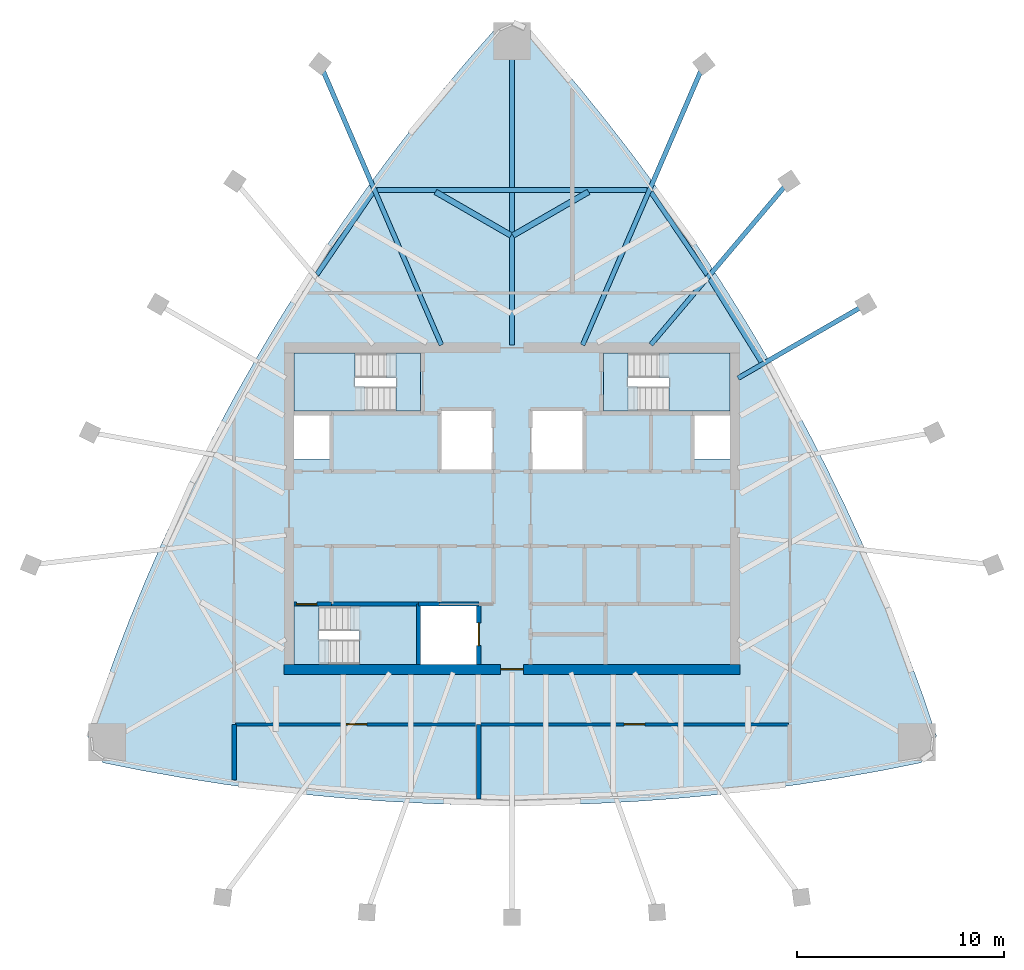
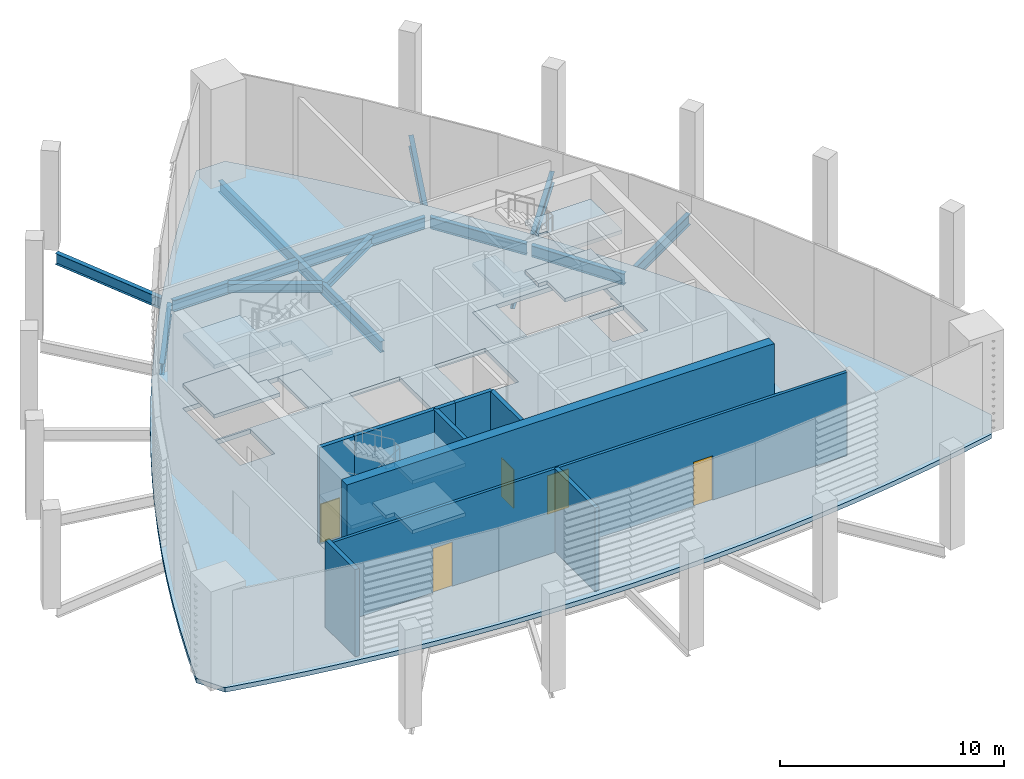
# One storey, part 2 of 8: 13 slabs, 11 beams, 10 walls, 5 doors, 5 openings, 3 elements without a shape of their own.
"""IFC4 building model written with IfcOpenShell, lengths in metres."""

from ifc_helpers import new_model, si_unit, direction, frame, frame_2d, origin, origin_2d, place, context, subcontext, project, spatial, polyline, rectangle, i_section, outline, extrude, clip, halfspace, material, layer, layer_set, material_profile, profile_set, type_object, element, fill, aggregate, save


model = new_model("IFC4")

# Units and contexts
model_context = context("Model", 3, precision=1e-05, world=origin(), true_north=direction((0.0, 1.0)))
body_context = subcontext(model_context, "Body", "Model", "MODEL_VIEW")
ifc_project = project(units=[si_unit("LENGTHUNIT", "METRE"), si_unit("AREAUNIT", "SQUARE_METRE"), si_unit("VOLUMEUNIT", "CUBIC_METRE"), si_unit("PLANEANGLEUNIT", "RADIAN"), si_unit("MASSUNIT", "GRAM", prefix="KILO")], contexts=[model_context])

# Site, building, storey
site_placement = place(None, origin())
site = spatial("IfcSite", under=ifc_project, at=site_placement, CompositionType="ELEMENT")
building_placement = place(site_placement, origin())
building = spatial("IfcBuilding", under=site, at=building_placement, Name="Sierra Prisma Convention Tower", CompositionType="ELEMENT")
storey_placement = place(building_placement, frame((0.0, 0.0, 344.800048828125)))
storey = spatial("IfcBuildingStorey", under=building, at=storey_placement, Name="L77", CompositionType="ELEMENT", Elevation=344.800048828125)

# Beams
ifc_material_1 = material(Name="Steel ASTM A992 Gr 50", Category="steel")
ifc_material_profile_1 = material_profile(ifc_material_1, i_section(OverallWidth=0.280029296875, OverallDepth=0.462890625, WebThickness=0.0107421875, FlangeThickness=0.017333984375, at=origin_2d()), Name="W460x113")
ifc_profile_set_1 = profile_set([ifc_material_profile_1], Name="Steel ASTM A992 Gr 50")
beam_type_1 = type_object("IfcBeamType", Name="Plant floor joist W460x113", PredefinedType="JOIST", material=ifc_profile_set_1)
for number, where, z_axis, x_axis, name in (
    (1, (3.689208984375, 15.27392578125, -0.4814453125), (-0.866034836963, -0.4999836609, 0.0), (0.4999836609, -0.866034836963, 0.0), "Floor joist L77 NE10"),
    (2, (-3.689208984375, 15.27392578125, -0.4814453125), (0.866034836963, -0.4999836609, 0.0), (0.4999836609, 0.866034836963, 0.0), "Floor joist L77 NW03"),
):
    element("IfcBeam", number, at=place(storey_placement, frame(where, z_axis=z_axis, x_axis=x_axis)), inside=storey, type_object=beam_type_1, Name=name, PredefinedType="JOIST", context=body_context, shape_type="SweptSolid", body=[
        extrude(i_section(OverallWidth=0.280029296875, OverallDepth=0.462890625, WebThickness=0.0107421875, FlangeThickness=0.017333984375, at=origin_2d()), origin(), (0.0, 0.0, 1.0), 4.207275390625),
    ])
ifc_material_2 = material(Name="Steel ASTM A992 Gr 50", Category="steel")
ifc_material_profile_2 = material_profile(ifc_material_2, i_section(OverallWidth=0.22802734375, OverallDepth=0.60302734375, WebThickness=0.010498046875, FlangeThickness=0.014892578125, at=origin_2d()), Name="W610x101")
ifc_profile_set_2 = profile_set([ifc_material_profile_2], Name="Steel ASTM A992 Gr 50")
beam_type_2 = type_object("IfcBeamType", Name="Radial girder W610x101", PredefinedType="BEAM", material=ifc_profile_set_2)
beam_1_placement = place(storey_placement, frame((16.818115234375, 9.7099609375, -0.551513671875), z_axis=(-0.866022087412, -0.500005744082, 0.0), x_axis=(0.500005744082, -0.866022087412, 0.0)))
element("IfcBeam", 3, at=beam_1_placement, inside=storey, type_object=beam_type_2, Name="Radial girder L77 PC-NE-3", PredefinedType="BEAM", context=body_context, shape_type="SweptSolid", body=[
    extrude(i_section(OverallWidth=0.22802734375, OverallDepth=0.60302734375, WebThickness=0.010498046875, FlangeThickness=0.014892578125, at=origin_2d()), origin(), (0.0, 0.0, 1.0), 6.83837890625),
])
beam_2_placement = place(storey_placement, frame((13.16552734375, 15.555908203125, -0.551513671875), z_axis=(-0.646028534804, -0.76331325956, 0.0), x_axis=(0.76331325956, -0.646028534804, 0.0)))
element("IfcBeam", 4, at=beam_2_placement, inside=storey, type_object=beam_type_2, Name="Radial girder L77 PC-NE-4", PredefinedType="BEAM", context=body_context, shape_type="SweptSolid", body=[
    extrude(i_section(OverallWidth=0.22802734375, OverallDepth=0.60302734375, WebThickness=0.010498046875, FlangeThickness=0.014892578125, at=origin_2d()), origin(), (0.0, 0.0, 1.0), 10.018798828125),
])
beam_3_placement = place(storey_placement, frame((9.117919921875, 21.13427734375, -0.551513671875), z_axis=(-0.396140636376, -0.918189847587, 0.0), x_axis=(0.918189847587, -0.396140636376, 0.0)))
element("IfcBeam", 5, at=beam_3_placement, inside=storey, type_object=beam_type_2, Name="Radial girder L77 PC-NE-5", PredefinedType="BEAM", context=body_context, shape_type="SweptSolid", body=[
    extrude(i_section(OverallWidth=0.22802734375, OverallDepth=0.60302734375, WebThickness=0.010498046875, FlangeThickness=0.014892578125, at=origin_2d()), origin(), (0.0, 0.0, 1.0), 14.424560546875),
])
beam_4_placement = place(storey_placement, frame((0.0, 22.3525390625, -0.551513671875), z_axis=(0.0, -1.0, 0.0), x_axis=(1.0, 0.0, 0.0)))
element("IfcBeam", 6, at=beam_4_placement, inside=storey, type_object=beam_type_2, Name="Radial girder L77 MC-N", PredefinedType="BEAM", context=body_context, shape_type="SweptSolid", body=[
    extrude(i_section(OverallWidth=0.22802734375, OverallDepth=0.60302734375, WebThickness=0.010498046875, FlangeThickness=0.014892578125, at=origin_2d()), origin(), (0.0, 0.0, 1.0), 14.47265625),
])
beam_5_placement = place(storey_placement, frame((-9.117919921875, 21.13427734375, -0.551513671875), z_axis=(0.396140636376, -0.918189847587, 0.0), x_axis=(0.918189847587, 0.396140636376, 0.0)))
element("IfcBeam", 7, at=beam_5_placement, inside=storey, type_object=beam_type_2, Name="Radial girder L77 PC-NW-1", PredefinedType="BEAM", context=body_context, shape_type="SweptSolid", body=[
    extrude(i_section(OverallWidth=0.22802734375, OverallDepth=0.60302734375, WebThickness=0.010498046875, FlangeThickness=0.014892578125, at=origin_2d()), origin(), (0.0, 0.0, 1.0), 14.424560546875),
])
ifc_material_3 = material(Name="Steel ASTM A992 Gr 50", Category="steel")
ifc_material_profile_3 = material_profile(ifc_material_3, i_section(OverallWidth=0.22998046875, OverallDepth=0.616943359375, WebThickness=0.01318359375, FlangeThickness=0.022216796875, at=origin_2d()), Name="W610x140")
ifc_profile_set_3 = profile_set([ifc_material_profile_3], Name="Steel ASTM A992 Gr 50")
beam_type_3 = type_object("IfcBeamType", Name="Spandrel beam W610x140", PredefinedType="BEAM", material=ifc_profile_set_3)
beam_6_placement = place(storey_placement, frame((12.026123046875, 7.0634765625, -0.55859375), z_axis=(-0.526719564314, 0.850039117082, 0.0), x_axis=(-0.850039117082, -0.526719564314, 0.0)))
element("IfcBeam", 8, at=beam_6_placement, inside=storey, type_object=beam_type_3, Name="Crown edge beam L77-09", PredefinedType="BEAM", context=body_context, shape_type="SweptSolid", body=[
    clip(clip(extrude(i_section(OverallWidth=0.22998046875, OverallDepth=0.616943359375, WebThickness=0.01318359375, FlangeThickness=0.022216796875, at=origin_2d()), origin(), (0.0, 0.0, 1.0), 4.74365234375), halfspace(frame((-0.00341796875, 0.0, 0.009765625), z_axis=(-0.031132953279, 0.0, 0.99951525212), x_axis=(0.99951525212, 0.0, 0.031132953279)), True)), halfspace(frame((-0.03515625, 0.0, 4.7451171875), z_axis=(-0.3085775596, 0.0, -0.951199185088), x_axis=(0.951199185088, 0.0, -0.3085775596)), True)),
])
beam_7_placement = place(storey_placement, frame((9.40869140625, 11.278564453125, -0.55859375), z_axis=(-0.562628854747, 0.826709605488, 0.0), x_axis=(-0.826709605488, -0.562628854747, 0.0)))
element("IfcBeam", 9, at=beam_7_placement, inside=storey, type_object=beam_type_3, Name="Crown edge beam L77-10", PredefinedType="BEAM", context=body_context, shape_type="SweptSolid", body=[
    clip(clip(extrude(i_section(OverallWidth=0.22998046875, OverallDepth=0.616943359375, WebThickness=0.01318359375, FlangeThickness=0.022216796875, at=origin_2d()), origin(), (0.0, 0.0, 1.0), 4.816650390625), halfspace(frame((0.0302734375, 0.0, 0.00146484375), z_axis=(0.267571502455, 0.0, 0.963538007073), x_axis=(0.963538007073, 0.0, -0.267571502455)), True)), halfspace(frame((-0.061279296875, 0.0, 4.845458984375), z_axis=(-0.536204519273, 0.0, -0.844088095824), x_axis=(0.844088095824, 0.0, -0.536204519273)), True)),
])
beam_8_placement = place(storey_placement, frame((6.51416015625, 15.364013671875, -0.55859375), z_axis=(-1.0, 0.0, 0.0), x_axis=(0.0, -1.0, 0.0)))
element("IfcBeam", 10, at=beam_8_placement, inside=storey, type_object=beam_type_3, Name="Crown edge beam L77-11", PredefinedType="BEAM", context=body_context, shape_type="SweptSolid", body=[
    clip(clip(extrude(i_section(OverallWidth=0.22998046875, OverallDepth=0.616943359375, WebThickness=0.01318359375, FlangeThickness=0.022216796875, at=origin_2d()), origin(), (0.0, 0.0, 1.0), 13.0283203125), halfspace(frame((-0.045166015625, 0.0, -0.009521484375), z_axis=(-0.396131602107, 0.0, 0.918193745248), x_axis=(0.918193745248, 0.0, 0.396131602107)), True)), halfspace(frame((-0.045166015625, 0.0, 13.037841796875), z_axis=(-0.396131602107, 0.0, -0.918193745248), x_axis=(0.918193745248, 0.0, -0.396131602107)), True)),
])
beam_9_placement = place(storey_placement, frame((-6.69873046875, 15.260498046875, -0.55859375), z_axis=(-0.562628854747, -0.826709605488, 0.0), x_axis=(0.826709605488, -0.562628854747, 0.0)))
element("IfcBeam", 11, at=beam_9_placement, inside=storey, type_object=beam_type_3, Name="Crown edge beam L77-12", PredefinedType="BEAM", context=body_context, shape_type="SweptSolid", body=[
    clip(clip(extrude(i_section(OverallWidth=0.22998046875, OverallDepth=0.616943359375, WebThickness=0.01318359375, FlangeThickness=0.022216796875, at=origin_2d()), origin(), (0.0, 0.0, 1.0), 4.816650390625), halfspace(frame((-0.061279296875, 0.0, -0.02880859375), z_axis=(-0.536204519273, 0.0, 0.844088095824), x_axis=(0.844088095824, 0.0, 0.536204519273)), True)), halfspace(frame((0.0302734375, 0.0, 4.815185546875), z_axis=(0.267571502455, 0.0, -0.963538007073), x_axis=(0.963538007073, 0.0, 0.267571502455)), True)),
])

# Slab
ifc_material_4 = material(Name="Concrete C35/45", Category="concrete")
ifc_layer_1 = layer(ifc_material_4, 0.25)
ifc_layer_set_1 = layer_set([ifc_layer_1], Name="Convention floor slab 250")
slab_type_1 = type_object("IfcSlabType", Name="Convention floor slab 250", PredefinedType="FLOOR", material=ifc_layer_set_1)
slab_1_placement = place(storey_placement, frame((0.0, 0.0, -0.25)))
element("IfcSlab", 12, at=slab_1_placement, inside=storey, type_object=slab_type_1, Name="Floor slab L77 floor", PredefinedType="FLOOR", context=body_context, shape_type="SweptSolid", body=[
    extrude(outline(polyline([(-19.719970703125, -12.244873046875), (-17.772216796875, -12.634033203125), (-15.81689453125, -12.98291015625), (-13.854736328125, -13.291015625), (-11.88671875, -13.558349609375), (-9.913330078125, -13.784912109375), (-7.935791015625, -13.97021484375), (-5.954833984375, -14.114501953125), (-3.971435546875, -14.217529296875), (-1.986083984375, -14.279296875), (0.0, -14.300048828125), (1.986083984375, -14.279296875), (3.971435546875, -14.217529296875), (5.954833984375, -14.114501953125), (7.935791015625, -13.97021484375), (9.913330078125, -13.784912109375), (11.88671875, -13.558349609375), (13.854736328125, -13.291015625), (15.81689453125, -12.98291015625), (17.772216796875, -12.634033203125), (19.719970703125, -12.244873046875), (20.46435546875, -10.95556640625), (19.82763671875, -9.07421875), (19.152099609375, -7.206298828125), (18.437744140625, -5.35302734375), (17.685302734375, -3.514892578125), (16.894775390625, -1.69287109375), (16.06640625, 0.112548828125), (15.200927734375, 1.900146484375), (14.29833984375, 3.66943359375), (13.359375, 5.419677734375), (12.38427734375, 7.14990234375), (11.373291015625, 8.859619140625), (10.3271484375, 10.548095703125), (9.24609375, 12.21435546875), (8.130615234375, 13.857666015625), (6.981201171875, 15.4775390625), (5.798583984375, 17.0732421875), (4.5830078125, 18.64404296875), (3.335205078125, 20.189453125), (2.055419921875, 21.708251953125), (0.744384765625, 23.200439453125), (-0.744384765625, 23.200439453125), (-2.055419921875, 21.708251953125), (-3.335205078125, 20.189453125), (-4.5830078125, 18.64404296875), (-5.798583984375, 17.0732421875), (-6.981201171875, 15.4775390625), (-8.130615234375, 13.857666015625), (-9.24609375, 12.21435546875), (-10.3271484375, 10.548095703125), (-11.373291015625, 8.859619140625), (-12.38427734375, 7.14990234375), (-13.359375, 5.419677734375), (-14.29833984375, 3.66943359375), (-15.200927734375, 1.900146484375), (-16.06640625, 0.112548828125), (-16.894775390625, -1.69287109375), (-17.685302734375, -3.514892578125), (-18.437744140625, -5.35302734375), (-19.152099609375, -7.206298828125), (-19.82763671875, -9.07421875), (-20.46435546875, -10.95556640625), (-19.719970703125, -12.244873046875)]), holes=[polyline([(-4.60009765625, -4.699951171875), (-4.60009765625, -7.5), (-10.5, -7.5), (-10.5, -4.699951171875), (-4.60009765625, -4.699951171875)]), polyline([(-1.60009765625, -4.60009765625), (-1.60009765625, -7.5), (-4.5, -7.5), (-4.5, -4.60009765625), (-1.60009765625, -4.60009765625)]), polyline([(-0.89990234375, 4.800048828125), (-0.89990234375, 1.800048828125), (-3.5, 1.800048828125), (-3.5, 4.800048828125), (-0.89990234375, 4.800048828125)]), polyline([(3.5, 4.800048828125), (3.5, 1.800048828125), (0.89990234375, 1.800048828125), (0.89990234375, 4.800048828125), (3.5, 4.800048828125)]), polyline([(-8.699951171875, 4.60009765625), (-8.699951171875, 2.39990234375), (-10.5, 2.39990234375), (-10.5, 4.60009765625), (-8.699951171875, 4.60009765625)]), polyline([(10.5, 4.60009765625), (10.5, 2.39990234375), (8.699951171875, 2.39990234375), (8.699951171875, 4.60009765625), (10.5, 4.60009765625)]), polyline([(-4.39990234375, 7.5), (-4.39990234375, 4.699951171875), (-10.5, 4.699951171875), (-10.5, 7.5), (-4.39990234375, 7.5)]), polyline([(10.5, 7.5), (10.5, 4.699951171875), (4.39990234375, 4.699951171875), (4.39990234375, 7.5), (10.5, 7.5)])]), origin(), (0.0, 0.0, 1.0), 0.25),
])

# Stair, slabs
ifc_material_5 = material(Name="Concrete C30/37", Category="concrete")
stair_type = type_object("IfcStairType", Name="Stair dog-leg 1200 RC", PredefinedType="HALF_TURN_STAIR", material=ifc_material_5)
stair_1_placement = place(storey_placement, origin())
stair_1 = element("IfcStair", 13, at=stair_1_placement, inside=storey, type_object=stair_type, Name="L77 S1", PredefinedType="HALF_TURN_STAIR")
ifc_material_6 = material(Name="Concrete C35/45", Category="concrete")
ifc_layer_2 = layer(ifc_material_6, 0.199951171875)
ifc_layer_set_2 = layer_set([ifc_layer_2], Name="Stair landing slab")
slab_type_2 = type_object("IfcSlabType", Name="Stair landing slab", PredefinedType="LANDING", material=ifc_layer_set_2)
slab_2_placement = place(storey_placement, frame((0.0, 0.0, 1.14990234375)))
slab_2 = element("IfcSlab", 14, at=slab_2_placement, type_object=slab_type_2, Name="S1 landing 1", PredefinedType="LANDING", context=body_context, shape_type="SweptSolid", body=[
    extrude(outline(polyline([(-4.60009765625, -4.699951171875), (-4.60009765625, -7.5), (-7.342041015625, -7.5), (-7.342041015625, -5.89990234375), (-7.7900390625, -5.89990234375), (-7.7900390625, -4.699951171875), (-4.60009765625, -4.699951171875)])), origin(), (0.0, 0.0, 1.0), 0.199951171875),
])
slab_3_placement = place(storey_placement, frame((0.0, 0.0, 2.5)))
slab_3 = element("IfcSlab", 15, at=slab_3_placement, type_object=slab_type_2, Name="S1 landing 2", PredefinedType="LANDING", context=body_context, shape_type="SweptSolid", body=[
    extrude(outline(polyline([(-10.5, -7.5), (-10.5, -4.699951171875), (-9.298095703125, -4.699951171875), (-9.298095703125, -6.300048828125), (-8.85009765625, -6.300048828125), (-8.85009765625, -7.5), (-10.5, -7.5)])), origin(), (0.0, 0.0, 1.0), 0.199951171875),
])
slab_4_placement = place(storey_placement, frame((0.0, 0.0, 3.849853515625)))
slab_4 = element("IfcSlab", 16, at=slab_4_placement, type_object=slab_type_2, Name="S1 landing 3", PredefinedType="LANDING", context=body_context, shape_type="SweptSolid", body=[
    extrude(outline(polyline([(-4.60009765625, -4.699951171875), (-4.60009765625, -7.5), (-7.342041015625, -7.5), (-7.342041015625, -5.89990234375), (-7.7900390625, -5.89990234375), (-7.7900390625, -4.699951171875), (-4.60009765625, -4.699951171875)])), origin(), (0.0, 0.0, 1.0), 0.2001953125),
])
aggregate(stair_1, [slab_2, slab_3, slab_4])

# Slab
slab_5_placement = place(storey_placement, frame((0.0, 0.0, -0.199951171875)))
element("IfcSlab", 17, at=slab_5_placement, inside=storey, type_object=slab_type_2, Name="S1 floor landing L77", PredefinedType="LANDING", context=body_context, shape_type="SweptSolid", body=[
    extrude(outline(polyline([(-10.5, -7.5), (-9.298095703125, -7.5), (-9.298095703125, -4.699951171875), (-10.5, -4.699951171875), (-10.5, -7.5)])), origin(), (0.0, 0.0, 1.0), 0.199951171875),
])

# Stair, slabs
stair_2_placement = place(storey_placement, origin())
stair_2 = element("IfcStair", 18, at=stair_2_placement, inside=storey, type_object=stair_type, Name="L77 S3", PredefinedType="HALF_TURN_STAIR")
slab_6_placement = place(storey_placement, frame((0.0, 0.0, 1.14990234375)))
slab_6 = element("IfcSlab", 19, at=slab_6_placement, type_object=slab_type_2, Name="S3 landing 1", PredefinedType="LANDING", context=body_context, shape_type="SweptSolid", body=[
    extrude(outline(polyline([(-7.110107421875, 5.89990234375), (-7.110107421875, 4.699951171875), (-10.5, 4.699951171875), (-10.5, 7.5), (-7.55810546875, 7.5), (-7.55810546875, 5.89990234375), (-7.110107421875, 5.89990234375)])), origin(), (0.0, 0.0, 1.0), 0.199951171875),
])
slab_7_placement = place(storey_placement, frame((0.0, 0.0, 2.5)))
slab_7 = element("IfcSlab", 20, at=slab_7_placement, type_object=slab_type_2, Name="S3 landing 2", PredefinedType="LANDING", context=body_context, shape_type="SweptSolid", body=[
    extrude(outline(polyline([(-4.39990234375, 7.5), (-4.39990234375, 4.699951171875), (-5.60205078125, 4.699951171875), (-5.60205078125, 6.300048828125), (-6.050048828125, 6.300048828125), (-6.050048828125, 7.5), (-4.39990234375, 7.5)])), origin(), (0.0, 0.0, 1.0), 0.199951171875),
])
slab_8_placement = place(storey_placement, frame((0.0, 0.0, 3.849853515625)))
slab_8 = element("IfcSlab", 21, at=slab_8_placement, type_object=slab_type_2, Name="S3 landing 3", PredefinedType="LANDING", context=body_context, shape_type="SweptSolid", body=[
    extrude(outline(polyline([(-7.110107421875, 5.89990234375), (-7.110107421875, 4.699951171875), (-10.5, 4.699951171875), (-10.5, 7.5), (-7.55810546875, 7.5), (-7.55810546875, 5.89990234375), (-7.110107421875, 5.89990234375)])), origin(), (0.0, 0.0, 1.0), 0.2001953125),
])
aggregate(stair_2, [slab_6, slab_7, slab_8])

# Slab
slab_9_placement = place(storey_placement, frame((0.0, 0.0, -0.199951171875)))
element("IfcSlab", 22, at=slab_9_placement, inside=storey, type_object=slab_type_2, Name="S3 floor landing L77", PredefinedType="LANDING", context=body_context, shape_type="SweptSolid", body=[
    extrude(outline(polyline([(-4.39990234375, 7.5), (-5.60205078125, 7.5), (-5.60205078125, 4.699951171875), (-4.39990234375, 4.699951171875), (-4.39990234375, 7.5)])), origin(), (0.0, 0.0, 1.0), 0.199951171875),
])

# Stair, slabs
stair_3_placement = place(storey_placement, origin())
stair_3 = element("IfcStair", 23, at=stair_3_placement, inside=storey, type_object=stair_type, Name="L77 S4", PredefinedType="HALF_TURN_STAIR")
slab_10_placement = place(storey_placement, frame((0.0, 0.0, 1.14990234375)))
slab_10 = element("IfcSlab", 24, at=slab_10_placement, type_object=slab_type_2, Name="S4 landing 1", PredefinedType="LANDING", context=body_context, shape_type="SweptSolid", body=[
    extrude(outline(polyline([(10.5, 7.5), (10.5, 4.699951171875), (7.55810546875, 4.699951171875), (7.55810546875, 6.300048828125), (7.110107421875, 6.300048828125), (7.110107421875, 7.5), (10.5, 7.5)])), origin(), (0.0, 0.0, 1.0), 0.199951171875),
])
slab_11_placement = place(storey_placement, frame((0.0, 0.0, 2.5)))
slab_11 = element("IfcSlab", 25, at=slab_11_placement, type_object=slab_type_2, Name="S4 landing 2", PredefinedType="LANDING", context=body_context, shape_type="SweptSolid", body=[
    extrude(outline(polyline([(4.39990234375, 4.699951171875), (4.39990234375, 7.5), (5.60205078125, 7.5), (5.60205078125, 5.89990234375), (6.050048828125, 5.89990234375), (6.050048828125, 4.699951171875), (4.39990234375, 4.699951171875)])), origin(), (0.0, 0.0, 1.0), 0.199951171875),
])
slab_12_placement = place(storey_placement, frame((0.0, 0.0, 3.849853515625)))
slab_12 = element("IfcSlab", 26, at=slab_12_placement, type_object=slab_type_2, Name="S4 landing 3", PredefinedType="LANDING", context=body_context, shape_type="SweptSolid", body=[
    extrude(outline(polyline([(10.5, 7.5), (10.5, 4.699951171875), (7.55810546875, 4.699951171875), (7.55810546875, 6.300048828125), (7.110107421875, 6.300048828125), (7.110107421875, 7.5), (10.5, 7.5)])), origin(), (0.0, 0.0, 1.0), 0.2001953125),
])
aggregate(stair_3, [slab_10, slab_11, slab_12])

# Slab
slab_13_placement = place(storey_placement, frame((0.0, 0.0, -0.199951171875)))
element("IfcSlab", 27, at=slab_13_placement, inside=storey, type_object=slab_type_2, Name="S4 floor landing L77", PredefinedType="LANDING", context=body_context, shape_type="SweptSolid", body=[
    extrude(outline(polyline([(4.39990234375, 4.699951171875), (5.60205078125, 4.699951171875), (5.60205078125, 7.5), (4.39990234375, 7.5), (4.39990234375, 4.699951171875)])), origin(), (0.0, 0.0, 1.0), 0.199951171875),
])

# Wall, opening, door
ifc_material_7 = material(Name="Concrete C30/37", Category="concrete")
ifc_layer_3 = layer(ifc_material_7, 0.199951171875)
ifc_layer_set_3 = layer_set([ifc_layer_3], Name="Core wall RC 200 C30/37")
wall_type_1 = type_object("IfcWallType", Name="Core wall RC 200 C30/37", PredefinedType="SOLIDWALL", material=ifc_layer_set_3)
wall_1_placement = place(storey_placement, frame((-10.5, -4.60009765625, 0.0), z_axis=(0.0, 0.0, 1.0), x_axis=(1.0, 0.0, 0.0)))
wall_1 = element("IfcWall", 28, at=wall_1_placement, inside=storey, type_object=wall_type_1, Name="Core wall L77 1", PredefinedType="SOLIDWALL", context=body_context, shape_type="SweptSolid", body=[
    extrude(rectangle(XDim=1.800048828125, YDim=0.199951171875, at=frame_2d((0.89990234375, 0.0))), origin(), (0.0, 0.0, 1.0), 5.25),
])
opening_1_placement = place(wall_1_placement, frame((0.10009765625, 0.0, 0.0)))
opening_1 = element("IfcOpeningElement", 29, at=opening_1_placement, cuts=wall_1, Name="Opening L77-D011", PredefinedType="OPENING", context=body_context, shape_type="SweptSolid", body=[
    extrude(rectangle(XDim=1.0, YDim=2.10009765625, at=frame_2d((0.5, 1.050048828125))), frame((0.0, 0.10009765625, 0.0), z_axis=(0.0, -1.0, 0.0), x_axis=(1.0, 0.0, 0.0)), (0.0, 0.0, 1.0), 0.199951171875),
])
ifc_material_8 = material(Name="Steel fire door leaf", Category="steel")
door_type_1 = type_object("IfcDoorType", Name="Door 1000x2100 FD90S", OperationType="SINGLE_SWING_LEFT", PredefinedType="DOOR", material=ifc_material_8)
door_1_placement = place(opening_1_placement, origin())
door_1 = element("IfcDoor", 30, at=door_1_placement, inside=storey, type_object=door_type_1, Name="Door L77 17", OperationType="SINGLE_SWING_LEFT", OverallHeight=2.10009765625, OverallWidth=1.0, PredefinedType="DOOR", context=body_context, shape_type="SweptSolid", body=[
    extrude(rectangle(XDim=1.0, YDim=2.10009765625, at=frame_2d((0.5, 1.050048828125))), frame((0.0, 0.02490234375, 0.0), z_axis=(0.0, -1.0, 0.0), x_axis=(1.0, 0.0, 0.0)), (0.0, 0.0, 1.0), 0.050048828125),
])
fill(opening_1, door_1)

# Walls
wall_2_placement = place(storey_placement, frame((-8.699951171875, -4.60009765625, 0.0), z_axis=(0.0, 0.0, 1.0), x_axis=(1.0, 0.0, 0.0)))
element("IfcWall", 31, at=wall_2_placement, inside=storey, type_object=wall_type_1, Name="Core wall L77 5", PredefinedType="SOLIDWALL", context=body_context, shape_type="SweptSolid", body=[
    extrude(rectangle(XDim=4.199951171875, YDim=0.199951171875, at=frame_2d((2.10009765625, 0.0))), origin(), (0.0, 0.0, 1.0), 5.25),
])
wall_3_placement = place(storey_placement, frame((-4.5, -4.60009765625, 0.0), z_axis=(0.0, 0.0, 1.0), x_axis=(0.0, -1.0, 0.0)))
element("IfcWall", 32, at=wall_3_placement, inside=storey, type_object=wall_type_1, Name="Core wall L77 11", PredefinedType="SOLIDWALL", context=body_context, shape_type="SweptSolid", body=[
    extrude(rectangle(XDim=2.89990234375, YDim=0.199951171875, at=frame_2d((1.449951171875, 0.0))), origin(), (0.0, 0.0, 1.0), 5.25),
])
wall_4_placement = place(storey_placement, frame((-4.5, -4.60009765625, 0.0), z_axis=(0.0, 0.0, 1.0), x_axis=(1.0, 0.0, 0.0)))
element("IfcWall", 33, at=wall_4_placement, inside=storey, type_object=wall_type_1, Name="Core wall L77 12", PredefinedType="SOLIDWALL", context=body_context, shape_type="SweptSolid", body=[
    extrude(rectangle(XDim=1.0, YDim=0.199951171875, at=frame_2d((0.5, 0.0))), origin(), (0.0, 0.0, 1.0), 5.25),
])
wall_5_placement = place(storey_placement, frame((-3.5, -4.60009765625, 0.0), z_axis=(0.0, 0.0, 1.0), x_axis=(1.0, 0.0, 0.0)))
element("IfcWall", 34, at=wall_5_placement, inside=storey, type_object=wall_type_1, Name="Core wall L77 15", PredefinedType="SOLIDWALL", context=body_context, shape_type="SweptSolid", body=[
    extrude(rectangle(XDim=1.89990234375, YDim=0.199951171875, at=frame_2d((0.949951171875, 0.0))), origin(), (0.0, 0.0, 1.0), 5.25),
])

# Wall, opening, door
wall_6_placement = place(storey_placement, frame((-1.60009765625, -7.5, 0.0), z_axis=(0.0, 0.0, 1.0), x_axis=(0.0, 1.0, 0.0)))
wall_6 = element("IfcWall", 35, at=wall_6_placement, inside=storey, type_object=wall_type_1, Name="Core wall L77 23", PredefinedType="SOLIDWALL", context=body_context, shape_type="SweptSolid", body=[
    extrude(rectangle(XDim=2.89990234375, YDim=0.199951171875, at=frame_2d((1.449951171875, 0.0))), origin(), (0.0, 0.0, 1.0), 5.25),
])
opening_2_placement = place(wall_6_placement, frame((0.89990234375, 0.0, 0.0)))
opening_2 = element("IfcOpeningElement", 36, at=opening_2_placement, cuts=wall_6, Name="Opening L77-D003", PredefinedType="OPENING", context=body_context, shape_type="SweptSolid", body=[
    extrude(rectangle(XDim=1.10009765625, YDim=2.10009765625, at=frame_2d((0.550048828125, 1.050048828125))), frame((0.0, 0.10009765625, 0.0), z_axis=(0.0, -1.0, 0.0), x_axis=(1.0, 0.0, 0.0)), (0.0, 0.0, 1.0), 0.199951171875),
])
ifc_material_9 = material(Name="Steel fire door leaf", Category="steel")
door_type_2 = type_object("IfcDoorType", Name="Door 1100x2100 EI 90 sliding lift landing", OperationType="SLIDING_TO_LEFT", PredefinedType="DOOR", material=ifc_material_9)
door_2_placement = place(opening_2_placement, origin())
door_2 = element("IfcDoor", 37, at=door_2_placement, inside=storey, type_object=door_type_2, Name="Door L77 9", OperationType="SLIDING_TO_RIGHT", OverallHeight=2.10009765625, OverallWidth=1.10009765625, PredefinedType="DOOR", context=body_context, shape_type="SweptSolid", body=[
    extrude(rectangle(XDim=1.10009765625, YDim=2.10009765625, at=frame_2d((0.550048828125, 1.050048828125))), frame((0.0, 0.02490234375, 0.0), z_axis=(0.0, -1.0, 0.0), x_axis=(1.0, 0.0, 0.0)), (0.0, 0.0, 1.0), 0.050048828125),
])
fill(opening_2, door_2)

ifc_material_10 = material(Name="Concrete C50/60", Category="concrete")
ifc_layer_4 = layer(ifc_material_10, 0.5)
ifc_layer_set_4 = layer_set([ifc_layer_4], Name="Core wall RC 500 C50/60")
wall_type_2 = type_object("IfcWallType", Name="Core wall RC 500 C50/60", PredefinedType="SHEAR", material=ifc_layer_set_4)
wall_7_placement = place(storey_placement, frame((-11.0, -7.75, 0.0), z_axis=(0.0, 0.0, 1.0), x_axis=(1.0, 0.0, 0.0)))
wall_7 = element("IfcWall", 38, at=wall_7_placement, inside=storey, type_object=wall_type_2, Name="Core wall S L77", PredefinedType="SHEAR", context=body_context, shape_type="SweptSolid", body=[
    extrude(rectangle(XDim=22.0, YDim=0.5, at=frame_2d((11.0, 0.0))), origin(), (0.0, 0.0, 1.0), 5.39990234375),
])
opening_3_placement = place(wall_7_placement, frame((10.449951171875, 0.0, 0.0)))
opening_3 = element("IfcOpeningElement", 39, at=opening_3_placement, cuts=wall_7, Name="Opening L77-D034", PredefinedType="OPENING", context=body_context, shape_type="SweptSolid", body=[
    extrude(rectangle(XDim=1.10009765625, YDim=2.10009765625, at=frame_2d((0.550048828125, 1.050048828125))), frame((0.0, 0.25, 0.0), z_axis=(0.0, -1.0, 0.0), x_axis=(1.0, 0.0, 0.0)), (0.0, 0.0, 1.0), 0.5),
])
ifc_material_11 = material(Name="Steel fire door leaf", Category="steel")
door_type_3 = type_object("IfcDoorType", Name="Door 1100x2100 FD30S", OperationType="SINGLE_SWING_LEFT", PredefinedType="DOOR", material=ifc_material_11)
door_3_placement = place(opening_3_placement, origin())
door_3 = element("IfcDoor", 40, at=door_3_placement, inside=storey, type_object=door_type_3, Name="Door L77 35", OperationType="SINGLE_SWING_RIGHT", OverallHeight=2.10009765625, OverallWidth=1.10009765625, PredefinedType="DOOR", context=body_context, shape_type="SweptSolid", body=[
    extrude(rectangle(XDim=1.10009765625, YDim=2.10009765625, at=frame_2d((0.550048828125, 1.050048828125))), frame((0.0, 0.02490234375, 0.0), z_axis=(0.0, -1.0, 0.0), x_axis=(1.0, 0.0, 0.0)), (0.0, 0.0, 1.0), 0.050048828125),
])
fill(opening_3, door_3)

# Wall, openings, doors
ifc_material_12 = material(Name="Gypsum board partition", Category="gypsum")
ifc_layer_5 = layer(ifc_material_12, 0.14990234375)
ifc_layer_set_5 = layer_set([ifc_layer_5], Name="Corridor wall 150 gypsum EI 60")
wall_type_3 = type_object("IfcWallType", Name="Corridor wall 150 gypsum EI 60", PredefinedType="PARTITIONING", material=ifc_layer_set_5)
wall_8_placement = place(storey_placement, frame((-13.320068359375, -10.39990234375, 0.0), z_axis=(0.0, 0.0, 1.0), x_axis=(1.0, 0.0, 0.0)))
wall_8 = element("IfcWall", 41, at=wall_8_placement, inside=storey, type_object=wall_type_3, Name="Partition L77 corr 2", PredefinedType="PARTITIONING", context=body_context, shape_type="SweptSolid", body=[
    extrude(rectangle(XDim=26.64013671875, YDim=0.14990234375, at=frame_2d((13.320068359375, 0.0))), origin(), (0.0, 0.0, 1.0), 4.532958984375),
])
opening_4_placement = place(wall_8_placement, frame((5.320068359375, 0.0, 0.0)))
opening_4 = element("IfcOpeningElement", 42, at=opening_4_placement, cuts=wall_8, Name="Opening L77-D029", PredefinedType="OPENING", context=body_context, shape_type="SweptSolid", body=[
    extrude(rectangle(XDim=1.0, YDim=2.39990234375, at=frame_2d((0.5, 1.199951171875))), frame((0.0, 0.074951171875, 0.0), z_axis=(0.0, -1.0, 0.0), x_axis=(1.0, 0.0, 0.0)), (0.0, 0.0, 1.0), 0.14990234375),
])
opening_5_placement = place(wall_8_placement, frame((18.719970703125, 0.0, 0.0)))
opening_5 = element("IfcOpeningElement", 43, at=opening_5_placement, cuts=wall_8, Name="Opening L77-D030", PredefinedType="OPENING", context=body_context, shape_type="SweptSolid", body=[
    extrude(rectangle(XDim=1.0, YDim=2.39990234375, at=frame_2d((0.5, 1.199951171875))), frame((0.0, 0.074951171875, 0.0), z_axis=(0.0, -1.0, 0.0), x_axis=(1.0, 0.0, 0.0)), (0.0, 0.0, 1.0), 0.14990234375),
])
ifc_material_13 = material(Name="Steel fire door leaf", Category="steel")
door_type_4 = type_object("IfcDoorType", Name="Door 1000x2400 FD60S", OperationType="SINGLE_SWING_LEFT", PredefinedType="DOOR", material=ifc_material_13)
door_4_placement = place(opening_4_placement, origin())
door_4 = element("IfcDoor", 44, at=door_4_placement, inside=storey, type_object=door_type_4, Name="Door L77 4", OperationType="SINGLE_SWING_LEFT", OverallHeight=2.39990234375, OverallWidth=1.0, PredefinedType="DOOR", context=body_context, shape_type="SweptSolid", body=[
    extrude(rectangle(XDim=1.0, YDim=2.39990234375, at=frame_2d((0.5, 1.199951171875))), frame((0.0, 0.02490234375, 0.0), z_axis=(0.0, -1.0, 0.0), x_axis=(1.0, 0.0, 0.0)), (0.0, 0.0, 1.0), 0.050048828125),
])
fill(opening_4, door_4)
door_5_placement = place(opening_5_placement, origin())
door_5 = element("IfcDoor", 45, at=door_5_placement, inside=storey, type_object=door_type_4, Name="Door L77 5", OperationType="SINGLE_SWING_LEFT", OverallHeight=2.39990234375, OverallWidth=1.0, PredefinedType="DOOR", context=body_context, shape_type="SweptSolid", body=[
    extrude(rectangle(XDim=1.0, YDim=2.39990234375, at=frame_2d((0.5, 1.199951171875))), frame((0.0, 0.02490234375, 0.0), z_axis=(0.0, -1.0, 0.0), x_axis=(1.0, 0.0, 0.0)), (0.0, 0.0, 1.0), 0.050048828125),
])
fill(opening_5, door_5)

# Walls
ifc_material_14 = material(Name="Hollow clay block masonry", Category="masonry")
ifc_layer_6 = layer(ifc_material_14, 0.215087890625)
ifc_layer_set_6 = layer_set([ifc_layer_6], Name="Plant room wall 215 blockwork EI 120")
wall_type_4 = type_object("IfcWallType", Name="Plant room wall 215 blockwork EI 120", PredefinedType="PARTITIONING", material=ifc_layer_set_6)
wall_9_placement = place(storey_placement, frame((-13.39990234375, -10.39990234375, 0.0), z_axis=(0.0, 0.0, 1.0), x_axis=(0.0, -1.0, 0.0)))
element("IfcWall", 46, at=wall_9_placement, inside=storey, type_object=wall_type_4, Name="Partition L77 plant 1", PredefinedType="PARTITIONING", context=body_context, shape_type="SweptSolid", body=[
    extrude(rectangle(XDim=2.67041015625, YDim=0.215087890625, at=frame_2d((1.335205078125, 0.0))), origin(), (0.0, 0.0, 1.0), 4.75),
])
wall_10_placement = place(storey_placement, frame((-1.60009765625, -10.39990234375, 0.0), z_axis=(0.0, 0.0, 1.0), x_axis=(0.0, -1.0, 0.0)))
element("IfcWall", 47, at=wall_10_placement, inside=storey, type_object=wall_type_4, Name="Partition L77 plant 2", PredefinedType="PARTITIONING", context=body_context, shape_type="SweptSolid", body=[
    extrude(rectangle(XDim=3.603515625, YDim=0.215087890625, at=frame_2d((1.8017578125, 0.0))), origin(), (0.0, 0.0, 1.0), 4.532958984375),
])

save(model, "model.ifc")
